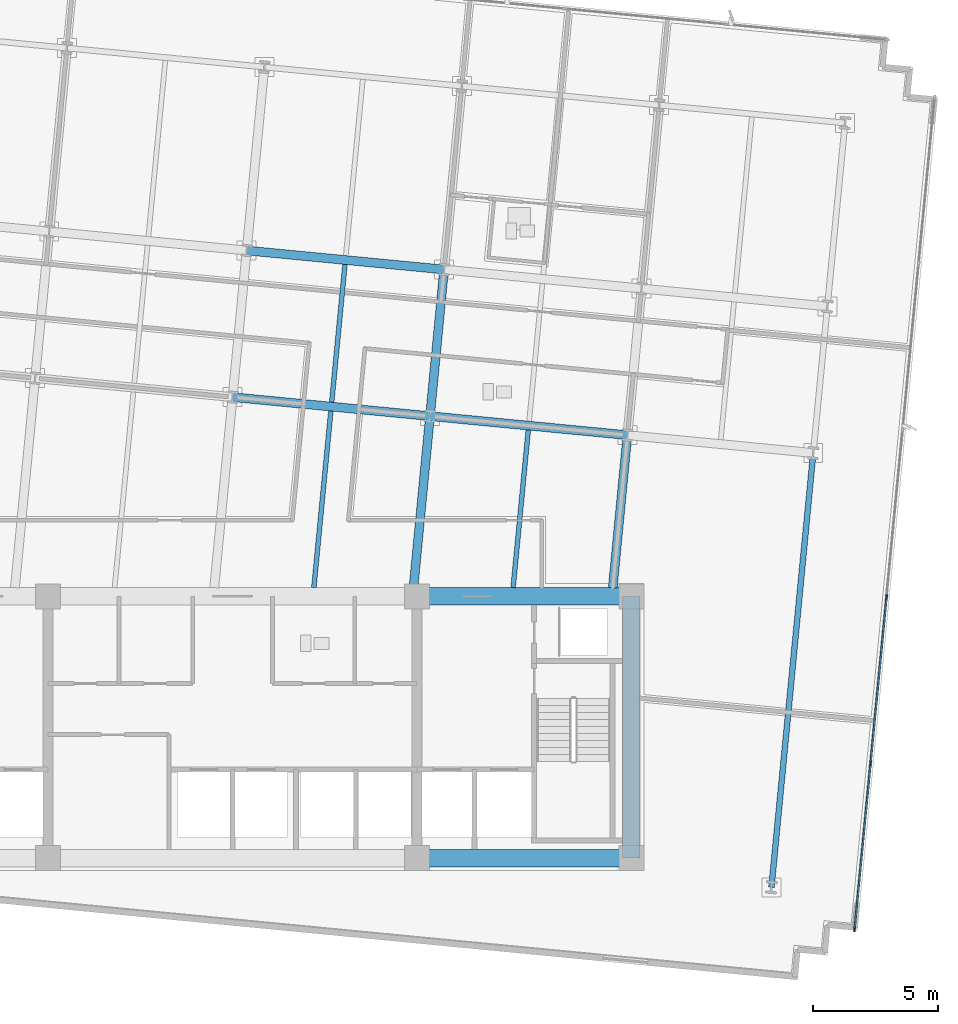
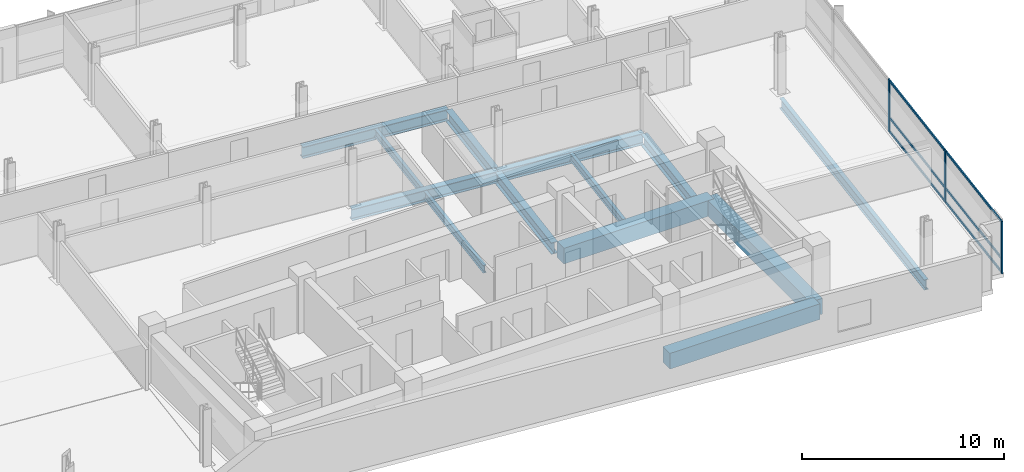
# One storey, part 5 of 16: 13 beams, 9 members, 1 element without a shape of its own.
"""IFC4 building model written with IfcOpenShell, lengths in metres."""

from ifc_helpers import new_model, si_unit, direction, frame, origin, origin_2d, place, context, subcontext, project, spatial, rectangle, i_section, extrude, material, material_profile, profile_set, type_object, element, aggregate, save


model = new_model("IFC4")

# Units and contexts
model_context = context("Model", 3, precision=1e-05, world=origin(), true_north=direction((0.0, 1.0)))
body_context = subcontext(model_context, "Body", "Model", "MODEL_VIEW")
ifc_project = project(units=[si_unit("LENGTHUNIT", "METRE"), si_unit("AREAUNIT", "SQUARE_METRE"), si_unit("VOLUMEUNIT", "CUBIC_METRE"), si_unit("PLANEANGLEUNIT", "RADIAN"), si_unit("MASSUNIT", "GRAM", prefix="KILO")], contexts=[model_context])

# Site, building, storey
site_placement = place(None, origin())
site = spatial("IfcSite", under=ifc_project, at=site_placement, CompositionType="ELEMENT")
building_placement = place(site_placement, origin())
building = spatial("IfcBuilding", under=site, at=building_placement, Name="Solmavex Isthmus Hotel", CompositionType="ELEMENT")
storey_placement = place(building_placement, frame((0.0, 0.0, 166.949951171875)))
storey = spatial("IfcBuildingStorey", under=building, at=storey_placement, Name="L45", CompositionType="ELEMENT", Elevation=166.949951171875)

# Beams
ifc_material_1 = material(Name="Steel ASTM A992 Grade 50", Category="steel")
ifc_material_profile_1 = material_profile(ifc_material_1, i_section(OverallWidth=0.354736328125, OverallDepth=0.695556640625, WebThickness=0.015380859375, FlangeThickness=0.02490234375, FilletRadius=0.017822265625, at=origin_2d()), Name="W27X146")
ifc_profile_set_1 = profile_set([ifc_material_profile_1], Name="Steel ASTM A992 Grade 50")
beam_type_1 = type_object("IfcBeamType", Name="BM-BG-W27X146", PredefinedType="BEAM", material=ifc_profile_set_1)
for number, where, z_axis, x_axis, name in (
    (1, (0.001220703125, 5.490234375, -0.607666015625), (0.995397440011, -0.095832856685, 0.0), (0.095832856685, 0.995397440011, 0.0), "Floor Girder L45-UG06"),
    (2, (7.920654296875, 4.727783203125, -0.607666015625), (0.995397440011, -0.095832856685, 0.0), (0.095832856685, 0.995397440011, 0.0), "Floor Girder L45-UG07"),
):
    element("IfcBeam", number, at=place(storey_placement, frame(where, z_axis=z_axis, x_axis=x_axis)), inside=storey, type_object=beam_type_1, Name=name, PredefinedType="BEAM", context=body_context, shape_type="SweptSolid", body=[
        extrude(i_section(OverallWidth=0.354736328125, OverallDepth=0.695556640625, WebThickness=0.015380859375, FlangeThickness=0.02490234375, FilletRadius=0.017822265625, at=origin_2d()), origin(), (0.0, 0.0, 1.0), 7.9560546875),
    ])
beam_1_placement = place(storey_placement, frame((0.567626953125, 11.37109375, -0.607666015625), z_axis=(0.995397158178, -0.095835783981, 0.0), x_axis=(0.095835783981, 0.995397158178, 0.0)))
element("IfcBeam", 3, at=beam_1_placement, inside=storey, type_object=beam_type_1, Name="Floor Girder L45-UG12", PredefinedType="BEAM", context=body_context, shape_type="SweptSolid", body=[
    extrude(i_section(OverallWidth=0.354736328125, OverallDepth=0.695556640625, WebThickness=0.015380859375, FlangeThickness=0.02490234375, FilletRadius=0.017822265625, at=origin_2d()), origin(), (0.0, 0.0, 1.0), 7.955810546875),
])
beam_2_placement = place(storey_placement, frame((7.25830078125, -2.14990234375, -0.607666015625), z_axis=(0.095847843924, 0.995395996986, 0.0), x_axis=(-0.995395996986, 0.095847843924, 0.0)))
element("IfcBeam", 4, at=beam_2_placement, inside=storey, type_object=beam_type_1, Name="Floor Beam L45-VG33", PredefinedType="BEAM", context=body_context, shape_type="SweptSolid", body=[
    extrude(i_section(OverallWidth=0.354736328125, OverallDepth=0.695556640625, WebThickness=0.015380859375, FlangeThickness=0.02490234375, FilletRadius=0.017822265625, at=origin_2d()), origin(), (0.0, 0.0, 1.0), 6.732177734375),
])
beam_3_placement = place(storey_placement, frame((7.937744140625, 4.904296875, -0.607666015625), z_axis=(0.095842252862, 0.99539653534, 0.0), x_axis=(-0.99539653534, 0.095842252862, 0.0)))
element("IfcBeam", 5, at=beam_3_placement, inside=storey, type_object=beam_type_1, Name="Floor Beam L45-VG34", PredefinedType="BEAM", context=body_context, shape_type="SweptSolid", body=[
    extrude(i_section(OverallWidth=0.354736328125, OverallDepth=0.695556640625, WebThickness=0.015380859375, FlangeThickness=0.02490234375, FilletRadius=0.017822265625, at=origin_2d()), origin(), (0.0, 0.0, 1.0), 5.55322265625),
])
beam_4_placement = place(storey_placement, frame((15.251220703125, -2.14990234375, -0.607666015625), z_axis=(0.095840286514, 0.995396724669, 0.0), x_axis=(-0.995396724669, 0.095840286514, 0.0)))
element("IfcBeam", 6, at=beam_4_placement, inside=storey, type_object=beam_type_1, Name="Floor Beam L45-VG36", PredefinedType="BEAM", context=body_context, shape_type="SweptSolid", body=[
    extrude(i_section(OverallWidth=0.354736328125, OverallDepth=0.695556640625, WebThickness=0.015380859375, FlangeThickness=0.02490234375, FilletRadius=0.017822265625, at=origin_2d()), origin(), (0.0, 0.0, 1.0), 5.9658203125),
])
ifc_material_profile_2 = material_profile(ifc_material_1, i_section(OverallWidth=0.1904296875, OverallDepth=0.456787109375, WebThickness=0.009033203125, FlangeThickness=0.014404296875, FilletRadius=0.0126953125, at=origin_2d()), Name="W18X50")
ifc_profile_set_2 = profile_set([ifc_material_profile_2], Name="Steel ASTM A992 Grade 50")
beam_type_2 = type_object("IfcBeamType", Name="BM-BJ-W18X50", PredefinedType="JOIST", material=ifc_profile_set_2)
beam_5_placement = place(storey_placement, frame((3.261962890625, -2.14990234375, -0.48828125), z_axis=(0.095837287001, 0.995397013468, 0.0), x_axis=(-0.995397013468, 0.095837287001, 0.0)))
element("IfcBeam", 7, at=beam_5_placement, inside=storey, type_object=beam_type_2, Name="Secondary Floor Joist L45-J10", PredefinedType="JOIST", context=body_context, shape_type="SweptSolid", body=[
    extrude(i_section(OverallWidth=0.1904296875, OverallDepth=0.456787109375, WebThickness=0.009033203125, FlangeThickness=0.014404296875, FilletRadius=0.0126953125, at=origin_2d()), origin(), (0.0, 0.0, 1.0), 7.114990234375),
])
beam_6_placement = place(storey_placement, frame((3.97802734375, 5.28564453125, -0.48828125), z_axis=(0.095842252862, 0.99539653534, 0.0), x_axis=(-0.99539653534, 0.095842252862, 0.0)))
element("IfcBeam", 8, at=beam_6_placement, inside=storey, type_object=beam_type_2, Name="Secondary Floor Joist L45-J11", PredefinedType="JOIST", context=body_context, shape_type="SweptSolid", body=[
    extrude(i_section(OverallWidth=0.1904296875, OverallDepth=0.456787109375, WebThickness=0.009033203125, FlangeThickness=0.014404296875, FilletRadius=0.0126953125, at=origin_2d()), origin(), (0.0, 0.0, 1.0), 5.55322265625),
])
beam_7_placement = place(storey_placement, frame((11.2548828125, -2.14990234375, -0.48828125), z_axis=(0.095825243261, 0.995398172971, 0.0), x_axis=(-0.995398172971, 0.095825243261, 0.0)))
element("IfcBeam", 9, at=beam_7_placement, inside=storey, type_object=beam_type_2, Name="Secondary Floor Joist L45-J13", PredefinedType="JOIST", context=body_context, shape_type="SweptSolid", body=[
    extrude(i_section(OverallWidth=0.1904296875, OverallDepth=0.456787109375, WebThickness=0.009033203125, FlangeThickness=0.014404296875, FilletRadius=0.0126953125, at=origin_2d()), origin(), (0.0, 0.0, 1.0), 6.34912109375),
])
ifc_material_2 = material(Name="Concrete C60/75", Category="concrete")
ifc_material_profile_3 = material_profile(ifc_material_2, rectangle(XDim=0.699951171875, YDim=0.949951171875, at=origin_2d()), Name="RC700X950")
ifc_profile_set_3 = profile_set([ifc_material_profile_3], Name="Concrete C60/75")
beam_type_3 = type_object("IfcBeamType", Name="BM-CB-700X950", PredefinedType="BEAM", material=ifc_profile_set_3)
for number, where, z_axis, x_axis, name in (
    (10, (7.39990234375, -13.0, -0.73486328125), (1.0, 0.0, 0.0), (0.0, 1.0, 0.0), "Core Coupling Beam L45-CB3"),
    (11, (7.39990234375, -2.5, -0.73486328125), (1.0, 0.0, 0.0), (0.0, 1.0, 0.0), "Core Coupling Beam L45-CB6"),
):
    element("IfcBeam", number, at=place(storey_placement, frame(where, z_axis=z_axis, x_axis=x_axis)), inside=storey, type_object=beam_type_3, Name=name, PredefinedType="BEAM", context=body_context, shape_type="SweptSolid", body=[
        extrude(rectangle(XDim=0.699951171875, YDim=0.949951171875, at=origin_2d()), origin(), (0.0, 0.0, 1.0), 8.60009765625),
    ])
beam_8_placement = place(storey_placement, frame((16.0, -13.0, -0.73486328125), z_axis=(0.0, 1.0, 0.0), x_axis=(-1.0, 0.0, 0.0)))
element("IfcBeam", 12, at=beam_8_placement, inside=storey, type_object=beam_type_3, Name="Core Coupling Beam L45-CB8", PredefinedType="BEAM", context=body_context, shape_type="SweptSolid", body=[
    extrude(rectangle(XDim=0.699951171875, YDim=0.949951171875, at=origin_2d()), origin(), (0.0, 0.0, 1.0), 10.5),
])
ifc_material_profile_4 = material_profile(ifc_material_1, i_section(OverallWidth=0.230224609375, OverallDepth=0.617431640625, WebThickness=0.01318359375, FlangeThickness=0.022216796875, FilletRadius=0.01513671875, at=origin_2d()), Name="W24X94")
ifc_profile_set_4 = profile_set([ifc_material_profile_4], Name="Steel ASTM A992 Grade 50")
beam_type_4 = type_object("IfcBeamType", Name="BM-SP-W24X94", PredefinedType="SPANDREL", material=ifc_profile_set_4)
beam_9_placement = place(storey_placement, frame((21.6162109375, -14.171875, -0.568603515625), z_axis=(0.095851245948, 0.995395669395, 0.0), x_axis=(-0.995395669395, 0.095851245948, 0.0)))
element("IfcBeam", 13, at=beam_9_placement, inside=storey, type_object=beam_type_4, Name="Floor Beam L45-VG39", PredefinedType="SPANDREL", context=body_context, shape_type="SweptSolid", body=[
    extrude(i_section(OverallWidth=0.230224609375, OverallDepth=0.617431640625, WebThickness=0.01318359375, FlangeThickness=0.022216796875, FilletRadius=0.01513671875, at=origin_2d()), origin(), (0.0, 0.0, 1.0), 17.32275390625),
])

# Curtain wall, members
ifc_material_3 = material(Name="Aluminium alloy 6063-T6", Category="aluminium")
curtain_wall_type = type_object("IfcCurtainWallType", Name="CW-SYS-03", PredefinedType="NOTDEFINED", material=ifc_material_3)
curtain_wall_placement = place(storey_placement, origin())
curtain_wall = element("IfcCurtainWall", 14, at=curtain_wall_placement, inside=storey, type_object=curtain_wall_type, Name="Stick Curtain Wall CWL-L45-E1", PredefinedType="NOTDEFINED")
ifc_material_profile_5 = material_profile(ifc_material_3, rectangle(XDim=0.070068359375, YDim=0.179931640625, at=origin_2d()), Name="CWM-70X180")
ifc_profile_set_5 = profile_set([ifc_material_profile_5], Name="Aluminium alloy 6063-T6")
member_type_1 = type_object("IfcMemberType", Name="CW-SYS-03-MUL", PredefinedType="MULLION", material=ifc_profile_set_5)
member_1_placement = place(storey_placement, frame((24.949462890625, -15.8642578125, 0.0), z_axis=(0.0, 0.0, 1.0), x_axis=(-0.995396190038, 0.09584583902, 0.0)))
member_1 = element("IfcMember", 15, at=member_1_placement, type_object=member_type_1, Name="CW-03 mullion 1", PredefinedType="MULLION", context=body_context, shape_type="SweptSolid", body=[
    extrude(rectangle(XDim=0.070068359375, YDim=0.179931640625, at=origin_2d()), origin(), (0.0, 0.0, 1.0), 3.18994140625),
])
member_2_placement = place(storey_placement, frame((25.590087890625, -9.2099609375, 0.0), z_axis=(0.0, 0.0, 1.0), x_axis=(-0.995396190038, 0.09584583902, 0.0)))
member_2 = element("IfcMember", 16, at=member_2_placement, type_object=member_type_1, Name="CW-03 mullion 2", PredefinedType="MULLION", context=body_context, shape_type="SweptSolid", body=[
    extrude(rectangle(XDim=0.070068359375, YDim=0.179931640625, at=origin_2d()), origin(), (0.0, 0.0, 1.0), 3.18994140625),
])
member_3_placement = place(storey_placement, frame((26.234130859375, -2.520751953125, 0.0), z_axis=(0.0, 0.0, 1.0), x_axis=(-0.995396190038, 0.09584583902, 0.0)))
member_3 = element("IfcMember", 17, at=member_3_placement, type_object=member_type_1, Name="CW-03 mullion 3", PredefinedType="MULLION", context=body_context, shape_type="SweptSolid", body=[
    extrude(rectangle(XDim=0.070068359375, YDim=0.179931640625, at=origin_2d()), origin(), (0.0, 0.0, 1.0), 3.18994140625),
])
ifc_material_profile_6 = material_profile(ifc_material_3, rectangle(XDim=0.070068359375, YDim=0.139892578125, at=origin_2d()), Name="CWT-70X140")
ifc_profile_set_6 = profile_set([ifc_material_profile_6], Name="Aluminium alloy 6063-T6")
member_type_2 = type_object("IfcMemberType", Name="CW-SYS-03-TRN", PredefinedType="USERDEFINED", material=ifc_profile_set_6)
member_4_placement = place(storey_placement, frame((24.95263671875, -15.829345703125, 0.070068359375), z_axis=(0.095848837806, 0.995395901283, 0.0), x_axis=(-0.995395901283, 0.095848837806, 0.0)))
member_4 = element("IfcMember", 18, at=member_4_placement, type_object=member_type_2, Name="CW-03 transom 1.1", ObjectType="TRANSOM", PredefinedType="USERDEFINED", context=body_context, shape_type="SweptSolid", body=[
    extrude(rectangle(XDim=0.070068359375, YDim=0.139892578125, at=origin_2d()), origin(), (0.0, 0.0, 1.0), 6.614990234375),
])
member_5_placement = place(storey_placement, frame((24.95263671875, -15.829345703125, 0.900146484375), z_axis=(0.095848837806, 0.995395901283, 0.0), x_axis=(-0.995395901283, 0.095848837806, 0.0)))
member_5 = element("IfcMember", 19, at=member_5_placement, type_object=member_type_2, Name="CW-03 transom 1.2", ObjectType="TRANSOM", PredefinedType="USERDEFINED", context=body_context, shape_type="SweptSolid", body=[
    extrude(rectangle(XDim=0.070068359375, YDim=0.139892578125, at=origin_2d()), origin(), (0.0, 0.0, 1.0), 6.614990234375),
])
member_6_placement = place(storey_placement, frame((24.95263671875, -15.829345703125, 3.1201171875), z_axis=(0.095848837806, 0.995395901283, 0.0), x_axis=(-0.995395901283, 0.095848837806, 0.0)))
member_6 = element("IfcMember", 20, at=member_6_placement, type_object=member_type_2, Name="CW-03 transom 1.3", ObjectType="TRANSOM", PredefinedType="USERDEFINED", context=body_context, shape_type="SweptSolid", body=[
    extrude(rectangle(XDim=0.070068359375, YDim=0.139892578125, at=origin_2d()), origin(), (0.0, 0.0, 1.0), 6.614990234375),
])
member_7_placement = place(storey_placement, frame((25.593505859375, -9.175048828125, 0.070068359375), z_axis=(0.095857212138, 0.995395094865, 0.0), x_axis=(-0.995395094865, 0.095857212138, 0.0)))
member_7 = element("IfcMember", 21, at=member_7_placement, type_object=member_type_2, Name="CW-03 transom 2.1", ObjectType="TRANSOM", PredefinedType="USERDEFINED", context=body_context, shape_type="SweptSolid", body=[
    extrude(rectangle(XDim=0.070068359375, YDim=0.139892578125, at=origin_2d()), origin(), (0.0, 0.0, 1.0), 6.64990234375),
])
member_8_placement = place(storey_placement, frame((25.593505859375, -9.175048828125, 0.900146484375), z_axis=(0.095857212138, 0.995395094865, 0.0), x_axis=(-0.995395094865, 0.095857212138, 0.0)))
member_8 = element("IfcMember", 22, at=member_8_placement, type_object=member_type_2, Name="CW-03 transom 2.2", ObjectType="TRANSOM", PredefinedType="USERDEFINED", context=body_context, shape_type="SweptSolid", body=[
    extrude(rectangle(XDim=0.070068359375, YDim=0.139892578125, at=origin_2d()), origin(), (0.0, 0.0, 1.0), 6.64990234375),
])
member_9_placement = place(storey_placement, frame((25.593505859375, -9.175048828125, 3.1201171875), z_axis=(0.095857212138, 0.995395094865, 0.0), x_axis=(-0.995395094865, 0.095857212138, 0.0)))
member_9 = element("IfcMember", 23, at=member_9_placement, type_object=member_type_2, Name="CW-03 transom 2.3", ObjectType="TRANSOM", PredefinedType="USERDEFINED", context=body_context, shape_type="SweptSolid", body=[
    extrude(rectangle(XDim=0.070068359375, YDim=0.139892578125, at=origin_2d()), origin(), (0.0, 0.0, 1.0), 6.64990234375),
])
aggregate(curtain_wall, [member_1, member_2, member_3, member_4, member_5, member_6, member_7, member_8, member_9])

save(model, "model.ifc")
